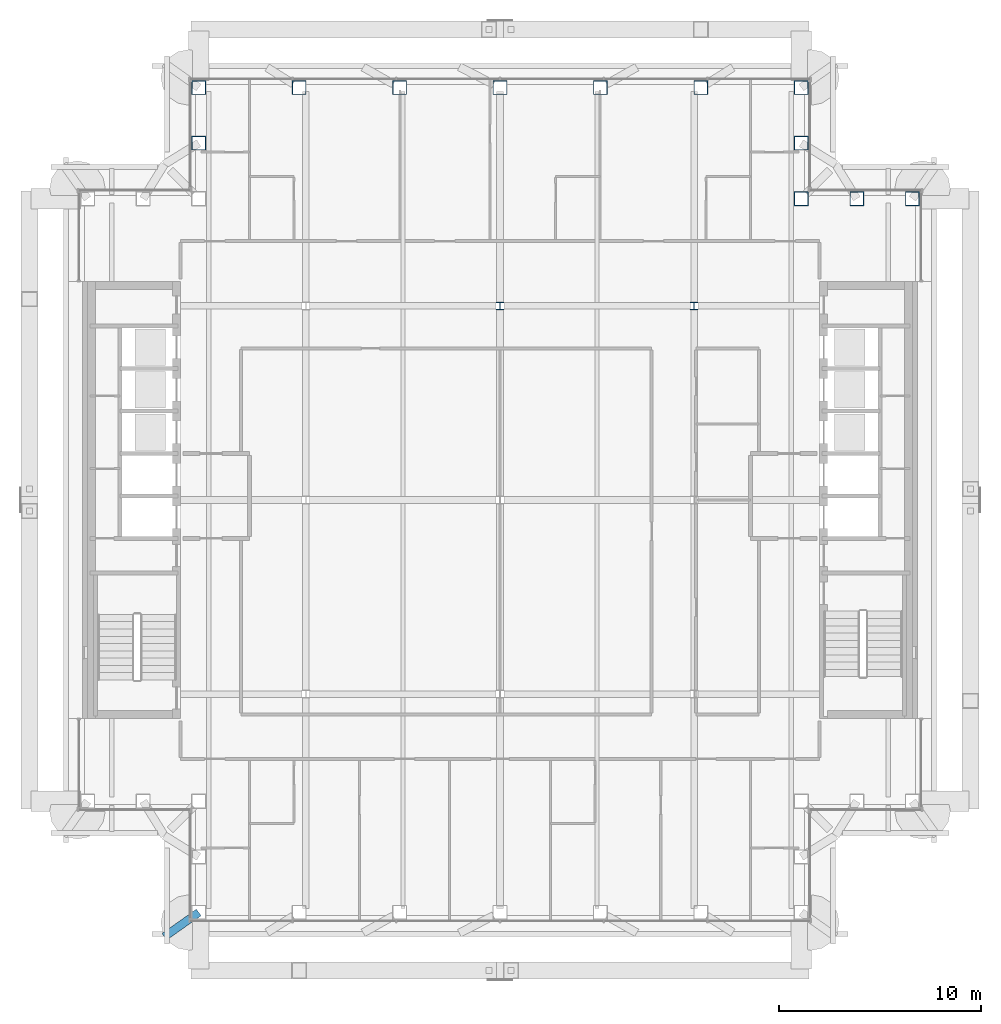
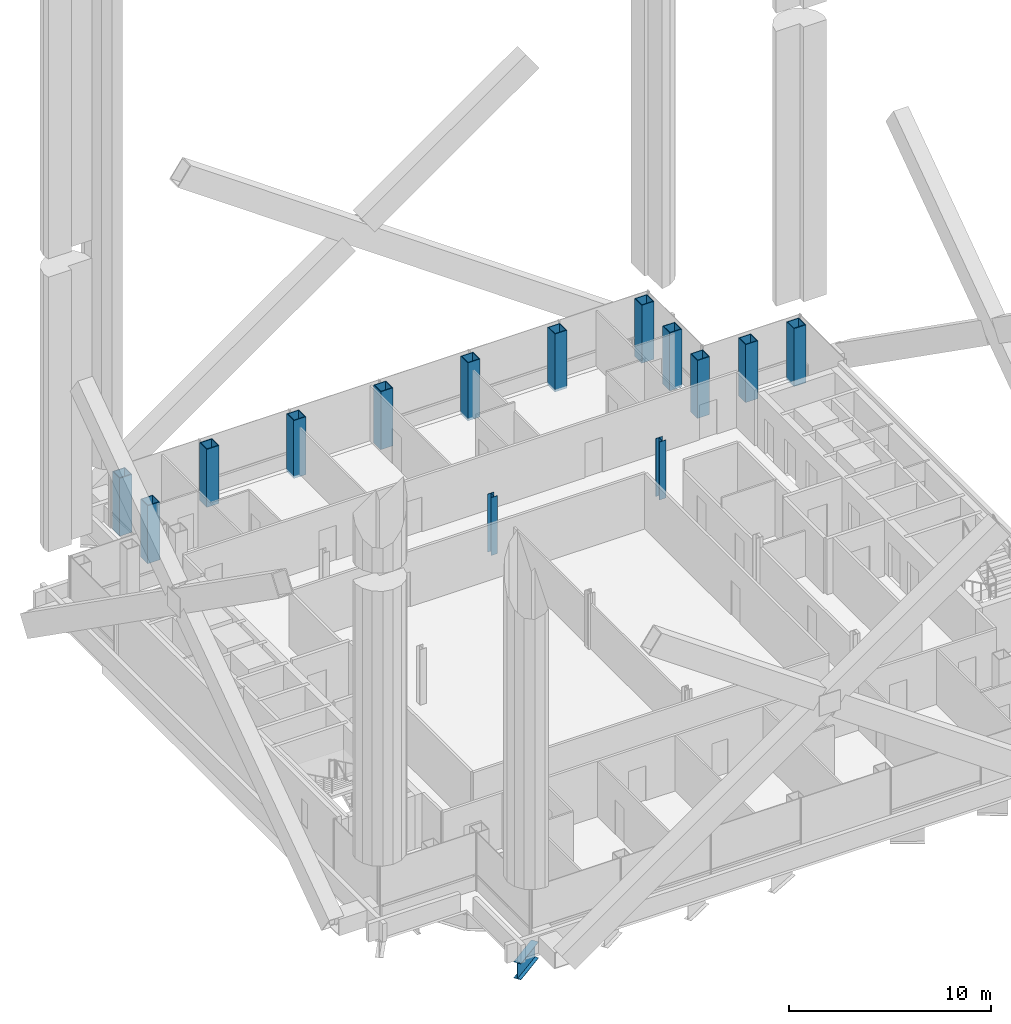
# One storey, part 2 of 22: 14 columns, 1 beam.
"""IFC4 building model written with IfcOpenShell, lengths in metres."""

from ifc_helpers import new_model, si_unit, direction, frame, origin, origin_2d, place, context, subcontext, project, spatial, hollow_rectangle, i_section, extrude, material, material_profile, profile_set, type_object, element, save


model = new_model("IFC4")

# Units and contexts
model_context = context("Model", 3, precision=1e-05, world=origin(), true_north=direction((0.0, 1.0)))
body_context = subcontext(model_context, "Body", "Model", "MODEL_VIEW")
ifc_project = project(units=[si_unit("LENGTHUNIT", "METRE"), si_unit("AREAUNIT", "SQUARE_METRE"), si_unit("VOLUMEUNIT", "CUBIC_METRE"), si_unit("PLANEANGLEUNIT", "RADIAN"), si_unit("MASSUNIT", "GRAM", prefix="KILO")], contexts=[model_context])

# Site, building, storey
site_placement = place(None, origin())
site = spatial("IfcSite", under=ifc_project, at=site_placement, CompositionType="ELEMENT")
building_placement = place(site_placement, origin())
building = spatial("IfcBuilding", under=site, at=building_placement, Name="Cobrizo Arcos Hotel Tower", CompositionType="ELEMENT")
storey_placement = place(building_placement, frame((0.0, 0.0, 191.0)))
storey = spatial("IfcBuildingStorey", under=building, at=storey_placement, Name="L49", CompositionType="ELEMENT", Elevation=191.0)

# Columns
ifc_material_1 = material(Name="Steel ASTM A572 Grade 50", Category="steel")
ifc_material_profile_1 = material_profile(ifc_material_1, hollow_rectangle(XDim=0.699951171875, YDim=0.699951171875, WallThickness=0.0400390625, at=origin_2d()), Name="BOX 700X700X40")
ifc_profile_set_1 = profile_set([ifc_material_profile_1], Name="Steel ASTM A572 Grade 50")
column_type_1 = type_object("IfcColumnType", Name="BOX 700X700X40 column", PredefinedType="COLUMN", material=ifc_profile_set_1)
for number, where, z_axis, x_axis, name in (
    (1, (-14.89990234375, 20.39990234375, -0.14990234375), (0.0, 0.0, 1.0), (1.0, 0.0, 0.0), "Perimeter column C10, L49, no. 00"),
    (2, (-9.93310546875, 20.39990234375, -0.14990234375), (0.0, 0.0, 1.0), (1.0, 0.0, 0.0), "Perimeter column C10, L49, no. 02"),
    (3, (-4.967041015625, 20.39990234375, -0.14990234375), (0.0, 0.0, 1.0), (1.0, 0.0, 0.0), "Perimeter column C10, L49, no. 04"),
    (4, (0.0, 20.39990234375, -0.14990234375), (0.0, 0.0, 1.0), (1.0, 0.0, 0.0), "Perimeter column C10, L49, no. 06"),
    (5, (4.967041015625, 20.39990234375, -0.14990234375), (0.0, 0.0, 1.0), (1.0, 0.0, 0.0), "Perimeter column C10, L49, no. 08"),
    (6, (9.93310546875, 20.39990234375, -0.14990234375), (0.0, 0.0, 1.0), (1.0, 0.0, 0.0), "Perimeter column C10, L49, no. 10"),
    (7, (14.89990234375, 20.39990234375, -0.14990234375), (0.0, 0.0, 1.0), (1.0, 0.0, 0.0), "Perimeter column C10, L49, no. 12"),
    (8, (20.39990234375, 14.89990234375, -0.14990234375), (0.0, 0.0, 1.0), (1.0, 0.0, 0.0), "Perimeter column C10, L49, no. 16"),
    (9, (-14.89990234375, 17.64990234375, -0.14990234375), (0.0, 0.0, 1.0), (1.0, 0.0, 0.0), "Perimeter column C10, L49, no. 22"),
    (10, (14.89990234375, 14.89990234375, -0.14990234375), (0.0, 0.0, 1.0), (1.0, 0.0, 0.0), "Perimeter column C10, L49, no. 27"),
    (11, (14.89990234375, 17.64990234375, -0.14990234375), (0.0, 0.0, 1.0), (1.0, 0.0, 0.0), "Perimeter column C10, L49, no. 28"),
    (12, (17.64990234375, 14.89990234375, -0.14990234375), (0.0, 0.0, 1.0), (1.0, 0.0, 0.0), "Perimeter column C10, L49, no. 29"),
):
    element("IfcColumn", number, at=place(storey_placement, frame(where, z_axis=z_axis, x_axis=x_axis)), inside=storey, type_object=column_type_1, Name=name, PredefinedType="COLUMN", context=body_context, shape_type="SweptSolid", body=[
        extrude(hollow_rectangle(XDim=0.699951171875, YDim=0.699951171875, WallThickness=0.0400390625, at=origin_2d()), origin(), (0.0, 0.0, 1.0), 3.5),
    ])
ifc_material_2 = material(Name="Steel ASTM A992 Grade 50", Category="steel")
ifc_material_profile_2 = material_profile(ifc_material_2, i_section(OverallWidth=0.373291015625, OverallDepth=0.373291015625, WebThickness=0.016357421875, FlangeThickness=0.026123046875, at=origin_2d()), Name="W14X132")
ifc_profile_set_2 = profile_set([ifc_material_profile_2], Name="Steel ASTM A992 Grade 50")
column_type_2 = type_object("IfcColumnType", Name="W14X132 interior column", PredefinedType="COLUMN", material=ifc_profile_set_2)
for number, where, z_axis, x_axis, name in (
    (13, (0.0, 9.60009765625, -0.14990234375), (0.0, 0.0, 1.0), (1.0, 0.0, 0.0), "Interior column C9, L49, no. 05"),
    (14, (9.60009765625, 9.60009765625, -0.14990234375), (0.0, 0.0, 1.0), (1.0, 0.0, 0.0), "Interior column C9, L49, no. 08"),
):
    element("IfcColumn", number, at=place(storey_placement, frame(where, z_axis=z_axis, x_axis=x_axis)), inside=storey, type_object=column_type_2, Name=name, PredefinedType="COLUMN", context=body_context, shape_type="SweptSolid", body=[
        extrude(i_section(OverallWidth=0.373291015625, OverallDepth=0.373291015625, WebThickness=0.016357421875, FlangeThickness=0.026123046875, at=origin_2d()), origin(), (0.0, 0.0, 1.0), 3.5),
    ])

# Beam
ifc_material_profile_3 = material_profile(ifc_material_2, i_section(OverallWidth=0.4013671875, OverallDepth=0.990478515625, WebThickness=0.0166015625, FlangeThickness=0.025390625, at=origin_2d()), Name="W40X215")
ifc_profile_set_3 = profile_set([ifc_material_profile_3], Name="Steel ASTM A992 Grade 50")
beam_type = type_object("IfcBeamType", Name="W40X215 transfer girder", PredefinedType="BEAM", material=ifc_profile_set_3)
beam_placement = place(storey_placement, frame((-16.60009765625, -21.60009765625, -0.645263671875), z_axis=(0.816954858588, 0.57670162045, 0.0), x_axis=(-0.57670162045, 0.816954858588, 0.0)))
element("IfcBeam", 15, at=beam_placement, inside=storey, type_object=beam_type, Name="Setback transfer girder TG1, L49, no. 002", PredefinedType="BEAM", context=body_context, shape_type="SweptSolid", body=[
    extrude(i_section(OverallWidth=0.4013671875, OverallDepth=0.990478515625, WebThickness=0.0166015625, FlangeThickness=0.025390625, at=origin_2d()), origin(), (0.0, 0.0, 1.0), 2.0810546875),
])

save(model, "model.ifc")
